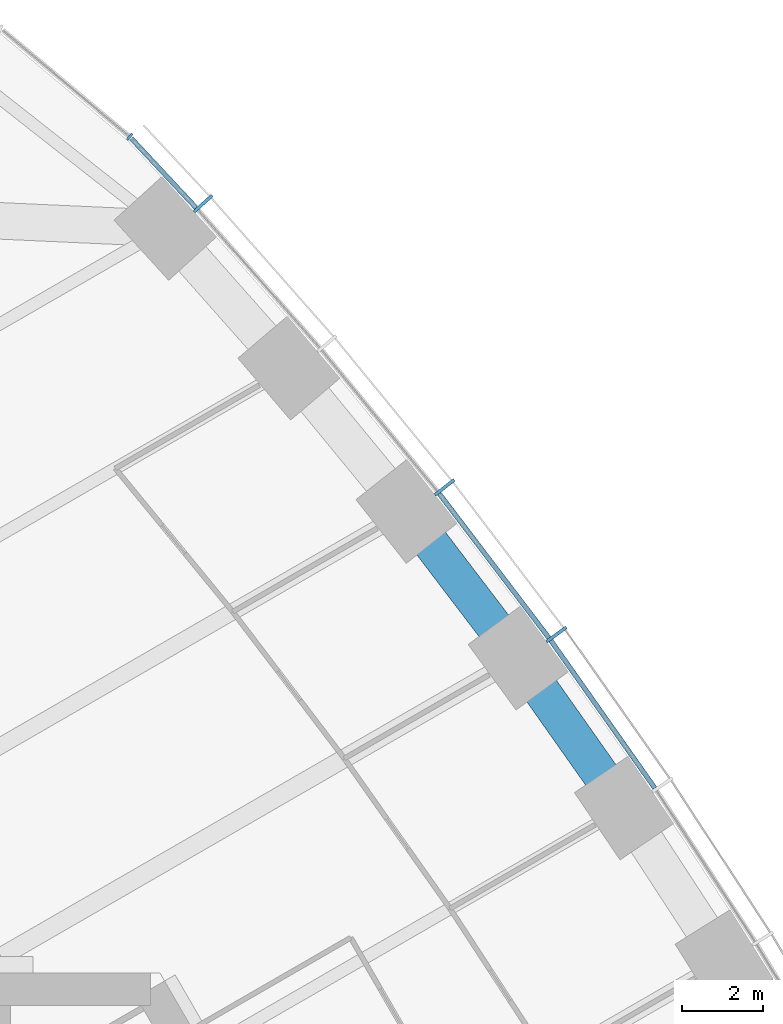
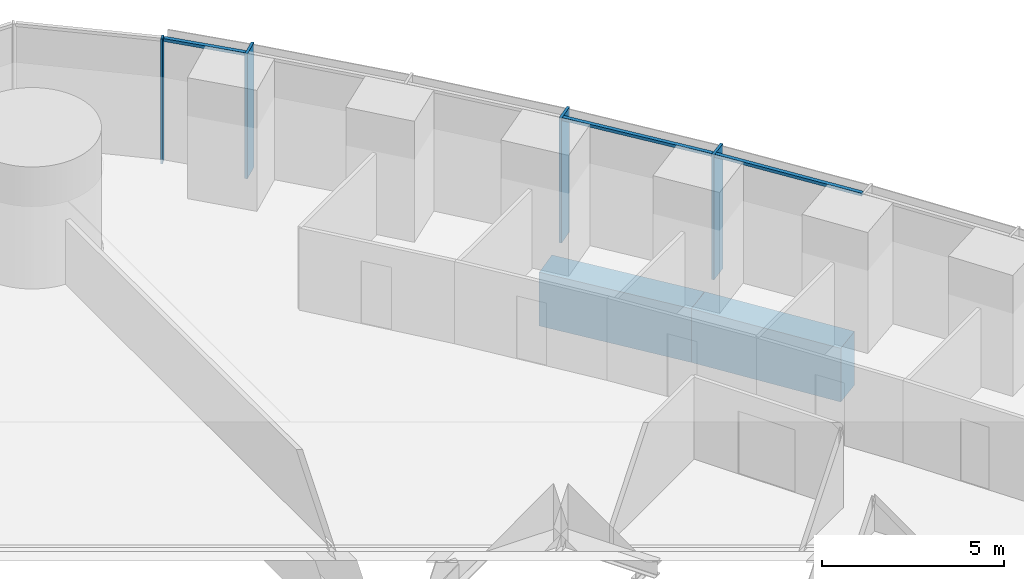
# One storey, part 6 of 18: 7 members, 2 beams, 2 elements without a shape of their own.
"""IFC4 building model written with IfcOpenShell, lengths in metres."""

from ifc_helpers import new_model, si_unit, direction, frame, origin, origin_2d, place, context, subcontext, project, spatial, rectangle, extrude, material, material_profile, profile_set, type_object, element, aggregate, save


model = new_model("IFC4")

# Units and contexts
model_context = context("Model", 3, precision=1e-05, world=origin(), true_north=direction((0.0, 1.0)))
body_context = subcontext(model_context, "Body", "Model", "MODEL_VIEW")
ifc_project = project(units=[si_unit("LENGTHUNIT", "METRE"), si_unit("AREAUNIT", "SQUARE_METRE"), si_unit("VOLUMEUNIT", "CUBIC_METRE"), si_unit("PLANEANGLEUNIT", "RADIAN"), si_unit("MASSUNIT", "GRAM", prefix="KILO")], contexts=[model_context])

# Site, building, storey
site_placement = place(None, origin())
site = spatial("IfcSite", under=ifc_project, at=site_placement, CompositionType="ELEMENT")
building_placement = place(site_placement, origin())
building = spatial("IfcBuilding", under=site, at=building_placement, Name="Trefoil Bronze Tower", CompositionType="ELEMENT")
storey_placement = place(building_placement, frame((0.0, 0.0, 157.699951171875)))
storey = spatial("IfcBuildingStorey", under=building, at=storey_placement, Name="L36", CompositionType="ELEMENT", Elevation=157.699951171875)

# Curtain wall, members
ifc_material_1 = material(Name="Tinted solar-control glass", Category="glass")
curtain_wall_type_1 = type_object("IfcCurtainWallType", Name="Bronze office curtain wall", PredefinedType="USERDEFINED", material=ifc_material_1)
curtain_wall_1_placement = place(storey_placement, origin())
curtain_wall_1 = element("IfcCurtainWall", 1, at=curtain_wall_1_placement, inside=storey, type_object=curtain_wall_type_1, Name="CW-A L36 F2", ObjectType="CURTAIN WALL", PredefinedType="USERDEFINED")
ifc_material_2 = material(Name="Bronze-finish aluminium", Category="aluminium")
ifc_material_profile_1 = material_profile(ifc_material_2, rectangle(XDim=0.60009765625, YDim=0.080078125, at=origin_2d()), Name="CW-A mullion")
ifc_profile_set_1 = profile_set([ifc_material_profile_1], Name="Bronze-finish aluminium")
member_type_1 = type_object("IfcMemberType", Name="Bronze office curtain wall mullion", PredefinedType="MULLION", material=ifc_profile_set_1)
member_1_placement = place(storey_placement, frame((15.764404296875, 24.7275390625, 0.0), z_axis=(0.0, 0.0, 1.0), x_axis=(-0.806874522901, -0.590722865897, 0.0)))
member_1 = element("IfcMember", 2, at=member_1_placement, type_object=member_type_1, Name="CW-A L36 F2 mullion 11", PredefinedType="MULLION", context=body_context, shape_type="SweptSolid", body=[
    extrude(rectangle(XDim=0.60009765625, YDim=0.080078125, at=origin_2d()), origin(), (0.0, 0.0, 1.0), 4.179931640625),
])
member_2_placement = place(storey_placement, frame((13.01220703125, 28.34716796875, 0.0), z_axis=(0.0, 0.0, 1.0), x_axis=(-0.78487913905, -0.619648882098, 0.0)))
member_2 = element("IfcMember", 3, at=member_2_placement, type_object=member_type_1, Name="CW-A L36 F2 mullion 12", PredefinedType="MULLION", context=body_context, shape_type="SweptSolid", body=[
    extrude(rectangle(XDim=0.60009765625, YDim=0.080078125, at=origin_2d()), origin(), (0.0, 0.0, 1.0), 4.179931640625),
])
member_3_placement = place(storey_placement, frame((7.070068359375, 35.332275390625, 0.0), z_axis=(0.0, 0.0, 1.0), x_axis=(-0.740360700327, -0.672209813534, 0.0)))
member_3 = element("IfcMember", 4, at=member_3_placement, type_object=member_type_1, Name="CW-A L36 F2 mullion 14", PredefinedType="MULLION", context=body_context, shape_type="SweptSolid", body=[
    extrude(rectangle(XDim=0.60009765625, YDim=0.080078125, at=origin_2d()), origin(), (0.0, 0.0, 1.0), 4.179931640625),
])
ifc_material_3 = material(Name="Bronze-finish aluminium", Category="aluminium")
ifc_material_profile_2 = material_profile(ifc_material_3, rectangle(XDim=0.1201171875, YDim=0.10009765625, at=origin_2d()), Name="CW-A transom")
ifc_profile_set_2 = profile_set([ifc_material_profile_2], Name="Bronze-finish aluminium")
member_type_2 = type_object("IfcMemberType", Name="Bronze office curtain wall transom", PredefinedType="USERDEFINED", material=ifc_profile_set_2)
member_4_placement = place(storey_placement, frame((18.18359375, 20.947021484375, 4.130126953125), z_axis=(-0.576017858824, 0.817437108478, 0.0), x_axis=(-0.817437108478, -0.576017858824, 0.0)))
member_4 = element("IfcMember", 5, at=member_4_placement, type_object=member_type_2, Name="CW-A L36 F2 transom 10", ObjectType="TRANSOM", PredefinedType="USERDEFINED", context=body_context, shape_type="SweptSolid", body=[
    extrude(rectangle(XDim=0.1201171875, YDim=0.10009765625, at=origin_2d()), origin(), (0.0, 0.0, 1.0), 4.4384765625),
])
member_5_placement = place(storey_placement, frame((15.57763671875, 24.642578125, 4.130126953125), z_axis=(-0.605229114572, 0.796051329296, 0.0), x_axis=(-0.796051329296, -0.605229114572, 0.0)))
member_5 = element("IfcMember", 6, at=member_5_placement, type_object=member_type_2, Name="CW-A L36 F2 transom 11", ObjectType="TRANSOM", PredefinedType="USERDEFINED", context=body_context, shape_type="SweptSolid", body=[
    extrude(rectangle(XDim=0.1201171875, YDim=0.10009765625, at=origin_2d()), origin(), (0.0, 0.0, 1.0), 4.456298828125),
])
member_6_placement = place(storey_placement, frame((6.893798828125, 35.22802734375, 4.130126953125), z_axis=(-0.682489214428, 0.730895664366, 0.0), x_axis=(-0.730895664366, -0.682489214428, 0.0)))
member_6 = element("IfcMember", 7, at=member_6_placement, type_object=member_type_2, Name="CW-A L36 F2 transom 14", ObjectType="TRANSOM", PredefinedType="USERDEFINED", context=body_context, shape_type="SweptSolid", body=[
    extrude(rectangle(XDim=0.1201171875, YDim=0.10009765625, at=origin_2d()), origin(), (0.0, 0.0, 1.0), 2.340087890625),
])
aggregate(curtain_wall_1, [member_1, member_2, member_3, member_4, member_5, member_6])

# Curtain wall, member
ifc_material_4 = material(Name="Tinted solar-control glass", Category="glass")
curtain_wall_type_2 = type_object("IfcCurtainWallType", Name="Bronze rounded corner curtain wall", PredefinedType="USERDEFINED", material=ifc_material_4)
curtain_wall_2_placement = place(storey_placement, origin())
curtain_wall_2 = element("IfcCurtainWall", 8, at=curtain_wall_2_placement, inside=storey, type_object=curtain_wall_type_2, Name="CW-B L36 K2", ObjectType="CURTAIN WALL", PredefinedType="USERDEFINED")
ifc_material_5 = material(Name="Bronze-finish aluminium", Category="aluminium")
ifc_material_profile_3 = material_profile(ifc_material_5, rectangle(XDim=0.199951171875, YDim=0.06005859375, at=origin_2d()), Name="CW-B mullion")
ifc_profile_set_3 = profile_set([ifc_material_profile_3], Name="Bronze-finish aluminium")
member_type_3 = type_object("IfcMemberType", Name="Bronze rounded corner curtain wall mullion", PredefinedType="MULLION", material=ifc_profile_set_3)
member_7_placement = place(storey_placement, frame((5.260498046875, 36.975830078125, 0.0), z_axis=(0.0, 0.0, 1.0), x_axis=(-0.642787609687, -0.766044443119, 0.0)))
member_7 = element("IfcMember", 9, at=member_7_placement, type_object=member_type_3, Name="CW-B L36 K2 mullion 1", PredefinedType="MULLION", context=body_context, shape_type="SweptSolid", body=[
    extrude(rectangle(XDim=0.199951171875, YDim=0.06005859375, at=origin_2d()), origin(), (0.0, 0.0, 1.0), 4.179931640625),
])
aggregate(curtain_wall_2, [member_7])

# Beams
ifc_material_6 = material(Name="Concrete B80", Category="concrete")
ifc_material_profile_4 = material_profile(ifc_material_6, rectangle(XDim=0.89990234375, YDim=1.800048828125, at=origin_2d()), Name="RC 900x1800")
ifc_profile_set_4 = profile_set([ifc_material_profile_4], Name="Concrete B80")
beam_type = type_object("IfcBeamType", Name="Spandrel beam RC 900x1800", PredefinedType="SPANDREL", material=ifc_profile_set_4)
beam_1_placement = place(storey_placement, frame((17.43017578125, 20.45556640625, -1.099853515625), z_axis=(-0.576439228712, 0.81714002203, 0.0), x_axis=(-0.81714002203, -0.576439228712, 0.0)))
element("IfcBeam", 10, at=beam_1_placement, inside=storey, type_object=beam_type, Name="Spandrel F2.10 L36", PredefinedType="SPANDREL", context=body_context, shape_type="SweptSolid", body=[
    extrude(rectangle(XDim=0.89990234375, YDim=1.800048828125, at=origin_2d()), origin(), (0.0, 0.0, 1.0), 4.5185546875),
])
beam_2_placement = place(storey_placement, frame((14.825439453125, 24.14794921875, -1.099853515625), z_axis=(-0.605898901788, 0.795541652468, 0.0), x_axis=(-0.795541652468, -0.605898901788, 0.0)))
element("IfcBeam", 11, at=beam_2_placement, inside=storey, type_object=beam_type, Name="Spandrel F2.11 L36", PredefinedType="SPANDREL", context=body_context, shape_type="SweptSolid", body=[
    extrude(rectangle(XDim=0.89990234375, YDim=1.800048828125, at=origin_2d()), origin(), (0.0, 0.0, 1.0), 4.53662109375),
])

save(model, "model.ifc")
